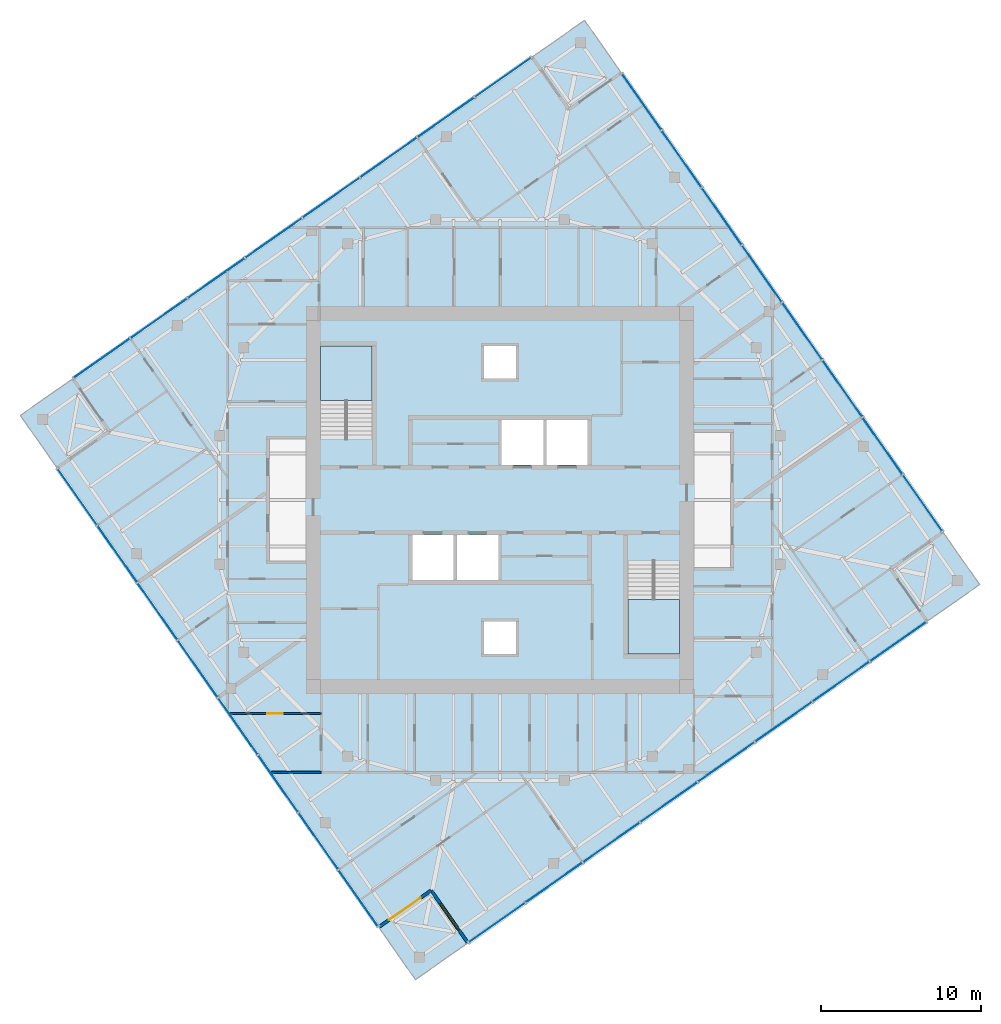
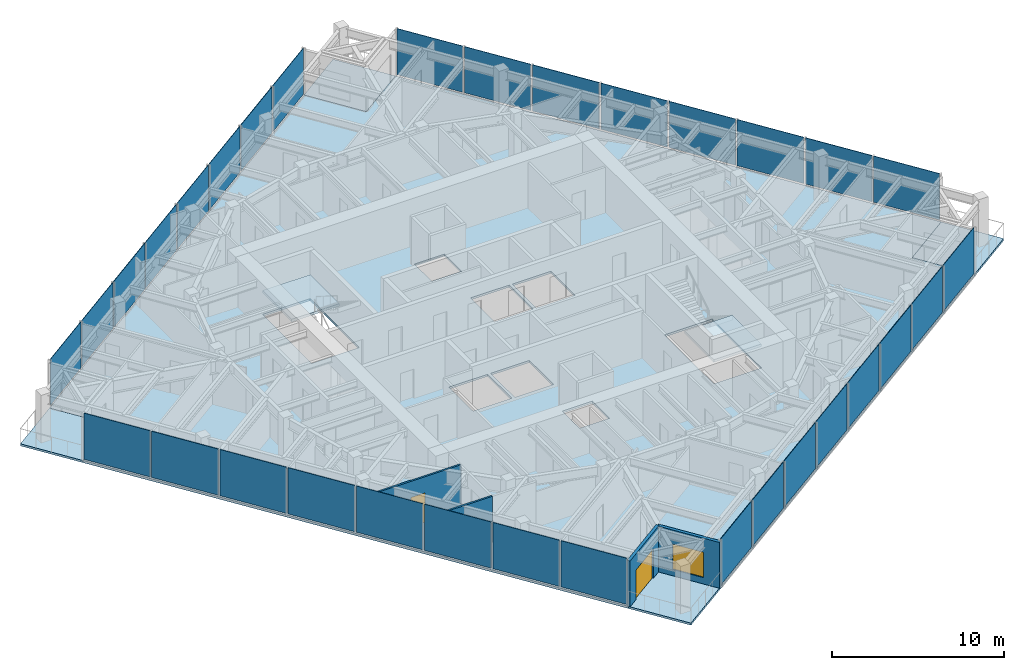
# One storey, part 6 of 12: 32 plates, 7 slabs, 4 walls, 2 doors, 1 window, 3 openings, 6 elements without a shape of their own.
"""IFC4 building model written with IfcOpenShell, lengths in metres."""

from ifc_helpers import new_model, si_unit, direction, frame, frame_2d, origin, origin_2d, place, context, subcontext, project, spatial, polyline, rectangle, outline, extrude, material, layer, layer_set, type_object, element, fill, aggregate, save


model = new_model("IFC4")

# Units and contexts
model_context = context("Model", 3, precision=1e-05, world=origin(), true_north=direction((0.0, 1.0)))
body_context = subcontext(model_context, "Body", "Model", "MODEL_VIEW")
ifc_project = project(units=[si_unit("LENGTHUNIT", "METRE"), si_unit("AREAUNIT", "SQUARE_METRE"), si_unit("VOLUMEUNIT", "CUBIC_METRE"), si_unit("PLANEANGLEUNIT", "RADIAN"), si_unit("MASSUNIT", "GRAM", prefix="KILO")], contexts=[model_context])

# Site, building, storey
site_placement = place(None, origin())
site = spatial("IfcSite", under=ifc_project, at=site_placement, CompositionType="ELEMENT")
building_placement = place(site_placement, origin())
building = spatial("IfcBuilding", under=site, at=building_placement, Name="Torsade Residences", CompositionType="ELEMENT")
storey_placement = place(building_placement, frame((0.0, 0.0, 247.199951171875)))
storey = spatial("IfcBuildingStorey", under=building, at=storey_placement, Name="L68", CompositionType="ELEMENT", Elevation=247.199951171875)

# Slab
ifc_material_1 = material(Name="Concrete 40 MPa", Category="concrete")
ifc_layer_1 = layer(ifc_material_1, 0.14990234375)
ifc_layer_set_1 = layer_set([ifc_layer_1], Name="Concrete 40 MPa")
slab_type_1 = type_object("IfcSlabType", Name="COMPOSITE FLOOR SLAB 150", PredefinedType="FLOOR", material=ifc_layer_set_1)
slab_1_placement = place(storey_placement, frame((0.0, 0.0, -0.14990234375)))
element("IfcSlab", 1, at=slab_1_placement, inside=storey, type_object=slab_type_1, Name="Floor slab L68", PredefinedType="FLOOR", context=body_context, shape_type="SweptSolid", body=[
    extrude(outline(polyline([(37.996826171875, 2.3505859375), (66.6669921875, 22.42578125), (64.372802734375, 25.702392578125), (67.6494140625, 27.996826171875), (47.57421875, 56.6669921875), (44.297607421875, 54.372802734375), (42.003173828125, 57.6494140625), (13.3330078125, 37.57421875), (15.627197265625, 34.297607421875), (12.3505859375, 32.003173828125), (32.42578125, 3.3330078125), (35.702392578125, 5.627197265625), (37.996826171875, 2.3505859375)]), holes=[polyline([(51.199951171875, 26.1201171875), (48.0, 26.1201171875), (48.0, 20.39990234375), (51.199951171875, 20.39990234375), (51.199951171875, 26.1201171875)]), polyline([(45.5, 35.0), (42.89990234375, 35.0), (42.89990234375, 32.199951171875), (45.5, 32.199951171875), (45.5, 35.0)]), polyline([(42.699951171875, 35.0), (40.10009765625, 35.0), (40.10009765625, 32.199951171875), (42.699951171875, 32.199951171875), (42.699951171875, 35.0)]), polyline([(41.0, 22.39990234375), (39.0, 22.39990234375), (39.0, 20.39990234375), (41.0, 20.39990234375), (41.0, 22.39990234375)]), polyline([(41.0, 39.60009765625), (39.0, 39.60009765625), (39.0, 37.60009765625), (41.0, 37.60009765625), (41.0, 39.60009765625)]), polyline([(39.89990234375, 27.800048828125), (37.300048828125, 27.800048828125), (37.300048828125, 25.0), (39.89990234375, 25.0), (39.89990234375, 27.800048828125)]), polyline([(37.10009765625, 27.800048828125), (34.5, 27.800048828125), (34.5, 25.0), (37.10009765625, 25.0), (37.10009765625, 27.800048828125)]), polyline([(32.0, 39.60009765625), (28.800048828125, 39.60009765625), (28.800048828125, 33.8798828125), (32.0, 33.8798828125), (32.0, 39.60009765625)])]), origin(), (0.0, 0.0, 1.0), 0.14990234375),
])

# Curtain wall, plates
ifc_material_2 = material(Name="Aluminium and glass", Category="aluminium")
curtain_wall_type = type_object("IfcCurtainWallType", Name="FRITTED GLASS CURTAIN WALL HIGH ZONE", PredefinedType="NOTDEFINED", material=ifc_material_2)
curtain_wall_1_placement = place(storey_placement, origin())
curtain_wall_1 = element("IfcCurtainWall", 2, at=curtain_wall_1_placement, inside=storey, type_object=curtain_wall_type, Name="Curtain wall L68 face 1", PredefinedType="NOTDEFINED")
ifc_material_3 = material(Name="Laminated glass", Category="glass")
ifc_layer_2 = layer(ifc_material_3, 0.031982421875)
ifc_layer_set_2 = layer_set([ifc_layer_2], Name="Laminated glass")
plate_type_1 = type_object("IfcPlateType", Name="FRITTED GLASS PANEL", PredefinedType="CURTAIN_PANEL", material=ifc_layer_set_2)
plate_1_placement = place(storey_placement, frame((39.80908203125, 3.61962890625, 0.1201171875), z_axis=(0.0, 0.0, 1.0), x_axis=(0.819152029353, 0.573576457682, 0.0)))
plate_1 = element("IfcPlate", 3, at=plate_1_placement, type_object=plate_type_1, Name="Panel 1", PredefinedType="CURTAIN_PANEL", context=body_context, shape_type="SweptSolid", body=[
    extrude(rectangle(XDim=4.22509765625, YDim=0.031982421875, at=origin_2d()), origin(), (0.0, 0.0, 1.0), 3.280029296875),
])
plate_2_placement = place(storey_placement, frame((46.956298828125, 8.6240234375, 0.1201171875), z_axis=(0.0, 0.0, 1.0), x_axis=(0.819152029353, 0.573576457682, 0.0)))
plate_2 = element("IfcPlate", 4, at=plate_2_placement, type_object=plate_type_1, Name="Panel 3", PredefinedType="CURTAIN_PANEL", context=body_context, shape_type="SweptSolid", body=[
    extrude(rectangle(XDim=4.27490234375, YDim=0.031982421875, at=origin_2d()), origin(), (0.0, 0.0, 1.0), 3.280029296875),
])
plate_3_placement = place(storey_placement, frame((50.5400390625, 11.133544921875, 0.1201171875), z_axis=(0.0, 0.0, 1.0), x_axis=(0.819152029353, 0.573576457682, 0.0)))
plate_3 = element("IfcPlate", 5, at=plate_3_placement, type_object=plate_type_1, Name="Panel 4", PredefinedType="CURTAIN_PANEL", context=body_context, shape_type="SweptSolid", body=[
    extrude(rectangle(XDim=4.27490234375, YDim=0.031982421875, at=origin_2d()), origin(), (0.0, 0.0, 1.0), 3.280029296875),
])
plate_4_placement = place(storey_placement, frame((54.123779296875, 13.642822265625, 0.1201171875), z_axis=(0.0, 0.0, 1.0), x_axis=(0.819152029353, 0.573576457682, 0.0)))
plate_4 = element("IfcPlate", 6, at=plate_4_placement, type_object=plate_type_1, Name="Panel 5", PredefinedType="CURTAIN_PANEL", context=body_context, shape_type="SweptSolid", body=[
    extrude(rectangle(XDim=4.27490234375, YDim=0.031982421875, at=origin_2d()), origin(), (0.0, 0.0, 1.0), 3.280029296875),
])
plate_5_placement = place(storey_placement, frame((61.291259765625, 18.66162109375, 0.1201171875), z_axis=(0.0, 0.0, 1.0), x_axis=(0.819152029353, 0.573576457682, 0.0)))
plate_5 = element("IfcPlate", 7, at=plate_5_placement, type_object=plate_type_1, Name="Panel 7", PredefinedType="CURTAIN_PANEL", context=body_context, shape_type="SweptSolid", body=[
    extrude(rectangle(XDim=4.27490234375, YDim=0.031982421875, at=origin_2d()), origin(), (0.0, 0.0, 1.0), 3.280029296875),
])
plate_6_placement = place(storey_placement, frame((64.854736328125, 21.15673828125, 0.1201171875), z_axis=(0.0, 0.0, 1.0), x_axis=(0.819152029353, 0.573576457682, 0.0)))
plate_6 = element("IfcPlate", 8, at=plate_6_placement, type_object=plate_type_1, Name="Panel 8", PredefinedType="CURTAIN_PANEL", context=body_context, shape_type="SweptSolid", body=[
    extrude(rectangle(XDim=4.22509765625, YDim=0.031982421875, at=origin_2d()), origin(), (0.0, 0.0, 1.0), 3.280029296875),
])

curtain_wall_2_placement = place(storey_placement, origin())
curtain_wall_2 = element("IfcCurtainWall", 9, at=curtain_wall_2_placement, inside=storey, type_object=curtain_wall_type, Name="Curtain wall L68 face 4", PredefinedType="NOTDEFINED")
plate_7_placement = place(storey_placement, frame((66.38037109375, 29.80908203125, 0.1201171875), z_axis=(0.0, 0.0, 1.0), x_axis=(-0.573576457682, 0.819152029353, 0.0)))
plate_7 = element("IfcPlate", 10, at=plate_7_placement, type_object=plate_type_1, Name="Panel 1", PredefinedType="CURTAIN_PANEL", context=body_context, shape_type="SweptSolid", body=[
    extrude(rectangle(XDim=4.22509765625, YDim=0.031982421875, at=origin_2d()), origin(), (0.0, 0.0, 1.0), 3.280029296875),
])
plate_8_placement = place(storey_placement, frame((61.3759765625, 36.956298828125, 0.1201171875), z_axis=(0.0, 0.0, 1.0), x_axis=(-0.573576457682, 0.819152029353, 0.0)))
plate_8 = element("IfcPlate", 11, at=plate_8_placement, type_object=plate_type_1, Name="Panel 3", PredefinedType="CURTAIN_PANEL", context=body_context, shape_type="SweptSolid", body=[
    extrude(rectangle(XDim=4.27490234375, YDim=0.031982421875, at=origin_2d()), origin(), (0.0, 0.0, 1.0), 3.280029296875),
])
plate_9_placement = place(storey_placement, frame((58.866455078125, 40.5400390625, 0.1201171875), z_axis=(0.0, 0.0, 1.0), x_axis=(-0.573576457682, 0.819152029353, 0.0)))
plate_9 = element("IfcPlate", 12, at=plate_9_placement, type_object=plate_type_1, Name="Panel 4", PredefinedType="CURTAIN_PANEL", context=body_context, shape_type="SweptSolid", body=[
    extrude(rectangle(XDim=4.27490234375, YDim=0.031982421875, at=origin_2d()), origin(), (0.0, 0.0, 1.0), 3.280029296875),
])
plate_10_placement = place(storey_placement, frame((56.357177734375, 44.123779296875, 0.1201171875), z_axis=(0.0, 0.0, 1.0), x_axis=(-0.573576457682, 0.819152029353, 0.0)))
plate_10 = element("IfcPlate", 13, at=plate_10_placement, type_object=plate_type_1, Name="Panel 5", PredefinedType="CURTAIN_PANEL", context=body_context, shape_type="SweptSolid", body=[
    extrude(rectangle(XDim=4.27490234375, YDim=0.031982421875, at=origin_2d()), origin(), (0.0, 0.0, 1.0), 3.280029296875),
])
plate_11_placement = place(storey_placement, frame((51.33837890625, 51.291259765625, 0.1201171875), z_axis=(0.0, 0.0, 1.0), x_axis=(-0.573576457682, 0.819152029353, 0.0)))
plate_11 = element("IfcPlate", 14, at=plate_11_placement, type_object=plate_type_1, Name="Panel 7", PredefinedType="CURTAIN_PANEL", context=body_context, shape_type="SweptSolid", body=[
    extrude(rectangle(XDim=4.27490234375, YDim=0.031982421875, at=origin_2d()), origin(), (0.0, 0.0, 1.0), 3.280029296875),
])
plate_12_placement = place(storey_placement, frame((48.84326171875, 54.854736328125, 0.1201171875), z_axis=(0.0, 0.0, 1.0), x_axis=(-0.573576457682, 0.819152029353, 0.0)))
plate_12 = element("IfcPlate", 15, at=plate_12_placement, type_object=plate_type_1, Name="Panel 8", PredefinedType="CURTAIN_PANEL", context=body_context, shape_type="SweptSolid", body=[
    extrude(rectangle(XDim=4.22509765625, YDim=0.031982421875, at=origin_2d()), origin(), (0.0, 0.0, 1.0), 3.280029296875),
])

curtain_wall_3_placement = place(storey_placement, origin())
curtain_wall_3 = element("IfcCurtainWall", 16, at=curtain_wall_3_placement, inside=storey, type_object=curtain_wall_type, Name="Curtain wall L68 face 7", PredefinedType="NOTDEFINED")
plate_13_placement = place(storey_placement, frame((40.19091796875, 56.38037109375, 0.1201171875), z_axis=(0.0, 0.0, 1.0), x_axis=(-0.819152029353, -0.573576457682, 0.0)))
plate_13 = element("IfcPlate", 17, at=plate_13_placement, type_object=plate_type_1, Name="Panel 1", PredefinedType="CURTAIN_PANEL", context=body_context, shape_type="SweptSolid", body=[
    extrude(rectangle(XDim=4.22509765625, YDim=0.031982421875, at=origin_2d()), origin(), (0.0, 0.0, 1.0), 3.280029296875),
])
plate_14_placement = place(storey_placement, frame((33.043701171875, 51.3759765625, 0.1201171875), z_axis=(0.0, 0.0, 1.0), x_axis=(-0.819152029353, -0.573576457682, 0.0)))
plate_14 = element("IfcPlate", 18, at=plate_14_placement, type_object=plate_type_1, Name="Panel 3", PredefinedType="CURTAIN_PANEL", context=body_context, shape_type="SweptSolid", body=[
    extrude(rectangle(XDim=4.27490234375, YDim=0.031982421875, at=origin_2d()), origin(), (0.0, 0.0, 1.0), 3.280029296875),
])
plate_15_placement = place(storey_placement, frame((29.4599609375, 48.866455078125, 0.1201171875), z_axis=(0.0, 0.0, 1.0), x_axis=(-0.819152029353, -0.573576457682, 0.0)))
plate_15 = element("IfcPlate", 19, at=plate_15_placement, type_object=plate_type_1, Name="Panel 4", PredefinedType="CURTAIN_PANEL", context=body_context, shape_type="SweptSolid", body=[
    extrude(rectangle(XDim=4.27490234375, YDim=0.031982421875, at=origin_2d()), origin(), (0.0, 0.0, 1.0), 3.280029296875),
])
plate_16_placement = place(storey_placement, frame((25.876220703125, 46.357177734375, 0.1201171875), z_axis=(0.0, 0.0, 1.0), x_axis=(-0.819152029353, -0.573576457682, 0.0)))
plate_16 = element("IfcPlate", 20, at=plate_16_placement, type_object=plate_type_1, Name="Panel 5", PredefinedType="CURTAIN_PANEL", context=body_context, shape_type="SweptSolid", body=[
    extrude(rectangle(XDim=4.27490234375, YDim=0.031982421875, at=origin_2d()), origin(), (0.0, 0.0, 1.0), 3.280029296875),
])
plate_17_placement = place(storey_placement, frame((18.708740234375, 41.33837890625, 0.1201171875), z_axis=(0.0, 0.0, 1.0), x_axis=(-0.819152029353, -0.573576457682, 0.0)))
plate_17 = element("IfcPlate", 21, at=plate_17_placement, type_object=plate_type_1, Name="Panel 7", PredefinedType="CURTAIN_PANEL", context=body_context, shape_type="SweptSolid", body=[
    extrude(rectangle(XDim=4.27490234375, YDim=0.031982421875, at=origin_2d()), origin(), (0.0, 0.0, 1.0), 3.280029296875),
])
plate_18_placement = place(storey_placement, frame((15.145263671875, 38.84326171875, 0.1201171875), z_axis=(0.0, 0.0, 1.0), x_axis=(-0.819152029353, -0.573576457682, 0.0)))
plate_18 = element("IfcPlate", 22, at=plate_18_placement, type_object=plate_type_1, Name="Panel 8", PredefinedType="CURTAIN_PANEL", context=body_context, shape_type="SweptSolid", body=[
    extrude(rectangle(XDim=4.22509765625, YDim=0.031982421875, at=origin_2d()), origin(), (0.0, 0.0, 1.0), 3.280029296875),
])

curtain_wall_4_placement = place(storey_placement, origin())
curtain_wall_4 = element("IfcCurtainWall", 23, at=curtain_wall_4_placement, inside=storey, type_object=curtain_wall_type, Name="Curtain wall L68 face 10", PredefinedType="NOTDEFINED")
plate_19_placement = place(storey_placement, frame((13.61962890625, 30.19091796875, 0.1201171875), z_axis=(0.0, 0.0, 1.0), x_axis=(0.573576457682, -0.819152029353, 0.0)))
plate_19 = element("IfcPlate", 24, at=plate_19_placement, type_object=plate_type_1, Name="Panel 1", PredefinedType="CURTAIN_PANEL", context=body_context, shape_type="SweptSolid", body=[
    extrude(rectangle(XDim=4.22509765625, YDim=0.031982421875, at=origin_2d()), origin(), (0.0, 0.0, 1.0), 3.280029296875),
])
plate_20_placement = place(storey_placement, frame((18.6240234375, 23.043701171875, 0.1201171875), z_axis=(0.0, 0.0, 1.0), x_axis=(0.573576457682, -0.819152029353, 0.0)))
plate_20 = element("IfcPlate", 25, at=plate_20_placement, type_object=plate_type_1, Name="Panel 3", PredefinedType="CURTAIN_PANEL", context=body_context, shape_type="SweptSolid", body=[
    extrude(rectangle(XDim=4.27490234375, YDim=0.031982421875, at=origin_2d()), origin(), (0.0, 0.0, 1.0), 3.280029296875),
])
plate_21_placement = place(storey_placement, frame((21.133544921875, 19.4599609375, 0.1201171875), z_axis=(0.0, 0.0, 1.0), x_axis=(0.573576457682, -0.819152029353, 0.0)))
plate_21 = element("IfcPlate", 26, at=plate_21_placement, type_object=plate_type_1, Name="Panel 4", PredefinedType="CURTAIN_PANEL", context=body_context, shape_type="SweptSolid", body=[
    extrude(rectangle(XDim=4.27490234375, YDim=0.031982421875, at=origin_2d()), origin(), (0.0, 0.0, 1.0), 3.280029296875),
])
plate_22_placement = place(storey_placement, frame((23.642822265625, 15.876220703125, 0.1201171875), z_axis=(0.0, 0.0, 1.0), x_axis=(0.573576457682, -0.819152029353, 0.0)))
plate_22 = element("IfcPlate", 27, at=plate_22_placement, type_object=plate_type_1, Name="Panel 5", PredefinedType="CURTAIN_PANEL", context=body_context, shape_type="SweptSolid", body=[
    extrude(rectangle(XDim=4.27490234375, YDim=0.031982421875, at=origin_2d()), origin(), (0.0, 0.0, 1.0), 3.280029296875),
])
plate_23_placement = place(storey_placement, frame((28.66162109375, 8.708740234375, 0.1201171875), z_axis=(0.0, 0.0, 1.0), x_axis=(0.573576457682, -0.819152029353, 0.0)))
plate_23 = element("IfcPlate", 28, at=plate_23_placement, type_object=plate_type_1, Name="Panel 7", PredefinedType="CURTAIN_PANEL", context=body_context, shape_type="SweptSolid", body=[
    extrude(rectangle(XDim=4.27490234375, YDim=0.031982421875, at=origin_2d()), origin(), (0.0, 0.0, 1.0), 3.280029296875),
])
plate_24_placement = place(storey_placement, frame((31.15673828125, 5.145263671875, 0.1201171875), z_axis=(0.0, 0.0, 1.0), x_axis=(0.573576457682, -0.819152029353, 0.0)))
plate_24 = element("IfcPlate", 29, at=plate_24_placement, type_object=plate_type_1, Name="Panel 8", PredefinedType="CURTAIN_PANEL", context=body_context, shape_type="SweptSolid", body=[
    extrude(rectangle(XDim=4.22509765625, YDim=0.031982421875, at=origin_2d()), origin(), (0.0, 0.0, 1.0), 3.280029296875),
])

# Plate
ifc_material_4 = material(Name="Laminated glass", Category="glass")
ifc_layer_3 = layer(ifc_material_4, 0.0400390625)
ifc_layer_set_3 = layer_set([ifc_layer_3], Name="Laminated glass")
plate_type_2 = type_object("IfcPlateType", Name="OPERABLE VENT PANEL", PredefinedType="CURTAIN_PANEL", material=ifc_layer_set_3)
plate_25_placement = place(storey_placement, frame((43.372314453125, 6.11474609375, 0.1201171875), z_axis=(0.0, 0.0, 1.0), x_axis=(0.819152029353, 0.573576457682, 0.0)))
plate_25 = element("IfcPlate", 30, at=plate_25_placement, type_object=plate_type_2, Name="Panel 2", PredefinedType="CURTAIN_PANEL", context=body_context, shape_type="SweptSolid", body=[
    extrude(rectangle(XDim=4.27490234375, YDim=0.0400390625, at=origin_2d()), origin(), (0.0, 0.0, 1.0), 3.280029296875),
])

plate_26_placement = place(storey_placement, frame((57.70751953125, 16.15234375, 0.1201171875), z_axis=(0.0, 0.0, 1.0), x_axis=(0.819152029353, 0.573576457682, 0.0)))
plate_26 = element("IfcPlate", 31, at=plate_26_placement, type_object=plate_type_2, Name="Panel 6", PredefinedType="CURTAIN_PANEL", context=body_context, shape_type="SweptSolid", body=[
    extrude(rectangle(XDim=4.27490234375, YDim=0.0400390625, at=origin_2d()), origin(), (0.0, 0.0, 1.0), 3.280029296875),
])

aggregate(curtain_wall_1, [plate_1, plate_25, plate_2, plate_3, plate_4, plate_26, plate_5, plate_6])

plate_27_placement = place(storey_placement, frame((63.88525390625, 33.372314453125, 0.1201171875), z_axis=(0.0, 0.0, 1.0), x_axis=(-0.573576457682, 0.819152029353, 0.0)))
plate_27 = element("IfcPlate", 32, at=plate_27_placement, type_object=plate_type_2, Name="Panel 2", PredefinedType="CURTAIN_PANEL", context=body_context, shape_type="SweptSolid", body=[
    extrude(rectangle(XDim=4.27490234375, YDim=0.0400390625, at=origin_2d()), origin(), (0.0, 0.0, 1.0), 3.280029296875),
])

plate_28_placement = place(storey_placement, frame((53.84765625, 47.70751953125, 0.1201171875), z_axis=(0.0, 0.0, 1.0), x_axis=(-0.573576457682, 0.819152029353, 0.0)))
plate_28 = element("IfcPlate", 33, at=plate_28_placement, type_object=plate_type_2, Name="Panel 6", PredefinedType="CURTAIN_PANEL", context=body_context, shape_type="SweptSolid", body=[
    extrude(rectangle(XDim=4.27490234375, YDim=0.0400390625, at=origin_2d()), origin(), (0.0, 0.0, 1.0), 3.280029296875),
])

aggregate(curtain_wall_2, [plate_7, plate_27, plate_8, plate_9, plate_10, plate_28, plate_11, plate_12])

plate_29_placement = place(storey_placement, frame((36.627685546875, 53.88525390625, 0.1201171875), z_axis=(0.0, 0.0, 1.0), x_axis=(-0.819152029353, -0.573576457682, 0.0)))
plate_29 = element("IfcPlate", 34, at=plate_29_placement, type_object=plate_type_2, Name="Panel 2", PredefinedType="CURTAIN_PANEL", context=body_context, shape_type="SweptSolid", body=[
    extrude(rectangle(XDim=4.27490234375, YDim=0.0400390625, at=origin_2d()), origin(), (0.0, 0.0, 1.0), 3.280029296875),
])

plate_30_placement = place(storey_placement, frame((22.29248046875, 43.84765625, 0.1201171875), z_axis=(0.0, 0.0, 1.0), x_axis=(-0.819152029353, -0.573576457682, 0.0)))
plate_30 = element("IfcPlate", 35, at=plate_30_placement, type_object=plate_type_2, Name="Panel 6", PredefinedType="CURTAIN_PANEL", context=body_context, shape_type="SweptSolid", body=[
    extrude(rectangle(XDim=4.27490234375, YDim=0.0400390625, at=origin_2d()), origin(), (0.0, 0.0, 1.0), 3.280029296875),
])

aggregate(curtain_wall_3, [plate_13, plate_29, plate_14, plate_15, plate_16, plate_30, plate_17, plate_18])

plate_31_placement = place(storey_placement, frame((16.11474609375, 26.627685546875, 0.1201171875), z_axis=(0.0, 0.0, 1.0), x_axis=(0.573576457682, -0.819152029353, 0.0)))
plate_31 = element("IfcPlate", 36, at=plate_31_placement, type_object=plate_type_2, Name="Panel 2", PredefinedType="CURTAIN_PANEL", context=body_context, shape_type="SweptSolid", body=[
    extrude(rectangle(XDim=4.27490234375, YDim=0.0400390625, at=origin_2d()), origin(), (0.0, 0.0, 1.0), 3.280029296875),
])

plate_32_placement = place(storey_placement, frame((26.15234375, 12.29248046875, 0.1201171875), z_axis=(0.0, 0.0, 1.0), x_axis=(0.573576457682, -0.819152029353, 0.0)))
plate_32 = element("IfcPlate", 37, at=plate_32_placement, type_object=plate_type_2, Name="Panel 6", PredefinedType="CURTAIN_PANEL", context=body_context, shape_type="SweptSolid", body=[
    extrude(rectangle(XDim=4.27490234375, YDim=0.0400390625, at=origin_2d()), origin(), (0.0, 0.0, 1.0), 3.280029296875),
])

aggregate(curtain_wall_4, [plate_19, plate_31, plate_20, plate_21, plate_22, plate_32, plate_23, plate_24])

# Stair, slab
ifc_material_5 = material(Name="Precast concrete 40 MPa", Category="concrete")
stair_type = type_object("IfcStairType", Name="HALF-TURN FIRE STAIR 1500x3400", PredefinedType="HALF_TURN_STAIR", material=ifc_material_5)
stair_1_placement = place(storey_placement, origin())
stair_1 = element("IfcStair", 38, at=stair_1_placement, inside=storey, type_object=stair_type, Name="Stair ST1 L68", PredefinedType="HALF_TURN_STAIR")
ifc_material_6 = material(Name="Precast concrete 40 MPa", Category="concrete")
ifc_layer_4 = layer(ifc_material_6, 0.179931640625)
ifc_layer_set_4 = layer_set([ifc_layer_4], Name="Precast concrete 40 MPa")
slab_type_2 = type_object("IfcSlabType", Name="PRECAST STAIR LANDING 180", PredefinedType="LANDING", material=ifc_layer_set_4)
slab_2_placement = place(storey_placement, frame((0.0, 0.0, 1.52001953125)))
slab_2 = element("IfcSlab", 39, at=slab_2_placement, type_object=slab_type_2, Name="ST1 landing 1", PredefinedType="LANDING", context=body_context, shape_type="SweptSolid", body=[
    extrude(outline(polyline([(28.800048828125, 36.2099609375), (32.0, 36.2099609375), (32.0, 39.60009765625), (28.800048828125, 39.60009765625), (28.800048828125, 36.2099609375)])), origin(), (0.0, 0.0, 1.0), 0.179931640625),
])
aggregate(stair_1, [slab_2])

stair_2_placement = place(storey_placement, origin())
stair_2 = element("IfcStair", 40, at=stair_2_placement, inside=storey, type_object=stair_type, Name="Stair ST2 L68", PredefinedType="HALF_TURN_STAIR")
slab_3_placement = place(storey_placement, frame((0.0, 0.0, 1.52001953125)))
slab_3 = element("IfcSlab", 41, at=slab_3_placement, type_object=slab_type_2, Name="ST2 landing 1", PredefinedType="LANDING", context=body_context, shape_type="SweptSolid", body=[
    extrude(outline(polyline([(48.0, 20.39990234375), (51.199951171875, 20.39990234375), (51.199951171875, 23.7900390625), (48.0, 23.7900390625), (48.0, 20.39990234375)])), origin(), (0.0, 0.0, 1.0), 0.179931640625),
])
aggregate(stair_2, [slab_3])

# Slabs
ifc_material_7 = material(Name="Concrete 40 MPa", Category="concrete")
ifc_layer_5 = layer(ifc_material_7, 0.14990234375)
ifc_layer_set_5 = layer_set([ifc_layer_5], Name="Concrete 40 MPa")
slab_type_3 = type_object("IfcSlabType", Name="TERRACE SLAB 150", PredefinedType="FLOOR", material=ifc_layer_set_5)
slab_4_placement = place(storey_placement, frame((0.0, 0.0, -0.14990234375)))
element("IfcSlab", 42, at=slab_4_placement, inside=storey, type_object=slab_type_3, Name="Corner terrace slab SE L68", PredefinedType="FLOOR", context=body_context, shape_type="SweptSolid", body=[
    extrude(outline(polyline([(66.6669921875, 22.42578125), (69.943603515625, 24.72021484375), (67.6494140625, 27.996826171875), (64.372802734375, 25.702392578125), (66.6669921875, 22.42578125)])), origin(), (0.0, 0.0, 1.0), 0.14990234375),
])
slab_5_placement = place(storey_placement, frame((0.0, 0.0, -0.14990234375)))
element("IfcSlab", 43, at=slab_5_placement, inside=storey, type_object=slab_type_3, Name="Corner terrace slab NE L68", PredefinedType="FLOOR", context=body_context, shape_type="SweptSolid", body=[
    extrude(outline(polyline([(44.297607421875, 54.372802734375), (47.57421875, 56.6669921875), (45.27978515625, 59.943603515625), (42.003173828125, 57.6494140625), (44.297607421875, 54.372802734375)])), origin(), (0.0, 0.0, 1.0), 0.14990234375),
])
slab_6_placement = place(storey_placement, frame((0.0, 0.0, -0.14990234375)))
element("IfcSlab", 44, at=slab_6_placement, inside=storey, type_object=slab_type_3, Name="Corner terrace slab NW L68", PredefinedType="FLOOR", context=body_context, shape_type="SweptSolid", body=[
    extrude(outline(polyline([(12.3505859375, 32.003173828125), (15.627197265625, 34.297607421875), (13.3330078125, 37.57421875), (10.056396484375, 35.27978515625), (12.3505859375, 32.003173828125)])), origin(), (0.0, 0.0, 1.0), 0.14990234375),
])
slab_7_placement = place(storey_placement, frame((0.0, 0.0, -0.14990234375)))
element("IfcSlab", 45, at=slab_7_placement, inside=storey, type_object=slab_type_3, Name="Corner terrace slab SW L68", PredefinedType="FLOOR", context=body_context, shape_type="SweptSolid", body=[
    extrude(outline(polyline([(34.72021484375, 0.056396484375), (37.996826171875, 2.3505859375), (35.702392578125, 5.627197265625), (32.42578125, 3.3330078125), (34.72021484375, 0.056396484375)])), origin(), (0.0, 0.0, 1.0), 0.14990234375),
])

# Wall, opening, door
ifc_material_8 = material(Name="Plasterboard on steel stud", Category="steel")
ifc_layer_6 = layer(ifc_material_8, 0.1201171875)
ifc_layer_set_6 = layer_set([ifc_layer_6], Name="Plasterboard on steel stud")
wall_type_1 = type_object("IfcWallType", Name="PARTITION 120", PredefinedType="PARTITIONING", material=ifc_layer_set_6)
wall_1_placement = place(storey_placement, frame((28.83740234375, 16.67333984375, 0.0), z_axis=(0.0, 0.0, 1.0), x_axis=(-1.0, 0.0, 0.0)))
wall_1 = element("IfcWall", 46, at=wall_1_placement, inside=storey, type_object=wall_type_1, Name="Partition L68", PredefinedType="PARTITIONING", context=body_context, shape_type="SweptSolid", body=[
    extrude(rectangle(XDim=5.703857421875, YDim=0.1201171875, at=frame_2d((2.85205078125, 0.0))), origin(), (0.0, 0.0, 1.0), 3.25),
])
opening_1_placement = place(wall_1_placement, frame((2.396484375, 0.0, 0.0)))
opening_1 = element("IfcOpeningElement", 47, at=opening_1_placement, cuts=wall_1, Name="Opening D05", PredefinedType="OPENING", context=body_context, shape_type="SweptSolid", body=[
    extrude(rectangle(XDim=0.9599609375, YDim=2.10009765625, at=frame_2d((0.47998046875, 1.050048828125))), frame((0.0, 0.070068359375, 0.0), z_axis=(0.0, -1.0, 0.0), x_axis=(1.0, 0.0, 0.0)), (0.0, 0.0, 1.0), 0.14013671875),
])
ifc_material_9 = material(Name="Hollow-core timber door in a steel cavity frame", Category="steel")
door_type_1 = type_object("IfcDoorType", Name="BATHROOM CAVITY SLIDING DOOR 960", OperationType="SLIDING_TO_LEFT", PredefinedType="DOOR", material=ifc_material_9)
door_1_placement = place(opening_1_placement, origin())
door_1 = element("IfcDoor", 48, at=door_1_placement, inside=storey, type_object=door_type_1, Name="Door Dressing room to Bathroom", OperationType="SLIDING_TO_LEFT", OverallHeight=2.10009765625, OverallWidth=0.9599609375, PredefinedType="DOOR", context=body_context, shape_type="SweptSolid", body=[
    extrude(rectangle(XDim=0.9599609375, YDim=2.10009765625, at=frame_2d((0.47998046875, 1.050048828125))), frame((0.0, 0.02490234375, 0.0), z_axis=(0.0, -1.0, 0.0), x_axis=(1.0, 0.0, 0.0)), (0.0, 0.0, 1.0), 0.050048828125),
])
fill(opening_1, door_1)

# Wall
wall_2_placement = place(storey_placement, frame((28.83740234375, 13.0, 0.0), z_axis=(0.0, 0.0, 1.0), x_axis=(-1.0, 0.0, 0.0)))
element("IfcWall", 49, at=wall_2_placement, inside=storey, type_object=wall_type_1, Name="Partition L68", PredefinedType="PARTITIONING", context=body_context, shape_type="SweptSolid", body=[
    extrude(rectangle(XDim=3.131591796875, YDim=0.1201171875, at=frame_2d((1.56591796875, 0.0))), origin(), (0.0, 0.0, 1.0), 3.25),
])

# Wall, opening, door
ifc_material_10 = material(Name="Stone-faced precast concrete 40 MPa panel", Category="masonry")
ifc_layer_7 = layer(ifc_material_10, 0.199951171875)
ifc_layer_set_7 = layer_set([ifc_layer_7], Name="Stone-faced precast concrete 40 MPa panel")
wall_type_2 = type_object("IfcWallType", Name="TERRACE WALL 200", PredefinedType="SOLIDWALL", material=ifc_layer_set_7)
wall_3_placement = place(storey_placement, frame((32.42578125, 3.3330078125, 0.0), z_axis=(0.0, 0.0, 1.0), x_axis=(0.819165963305, 0.573556557423, 0.0)))
wall_3 = element("IfcWall", 50, at=wall_3_placement, inside=storey, type_object=wall_type_2, Name="Terrace wall L68 11", PredefinedType="SOLIDWALL", context=body_context, shape_type="SweptSolid", body=[
    extrude(rectangle(XDim=4.0, YDim=0.199951171875, at=frame_2d((2.0, 0.0))), origin(), (0.0, 0.0, 1.0), 3.25),
])
opening_2_placement = place(wall_3_placement, frame((0.800048828125, 0.0, 0.0)))
opening_2 = element("IfcOpeningElement", 51, at=opening_2_placement, cuts=wall_3, Name="Opening D10A", PredefinedType="OPENING", context=body_context, shape_type="SweptSolid", body=[
    extrude(rectangle(XDim=2.39990234375, YDim=2.10009765625, at=frame_2d((1.199951171875, 1.050048828125))), frame((0.0, 0.10986328125, 0.0), z_axis=(0.0, -1.0, 0.0), x_axis=(1.0, 0.0, 0.0)), (0.0, 0.0, 1.0), 0.219970703125),
])
ifc_material_11 = material(Name="Aluminium-framed glass door", Category="aluminium")
door_type_2 = type_object("IfcDoorType", Name="TERRACE SLIDING DOOR 2400x2100", OperationType="SLIDING_TO_LEFT", PredefinedType="DOOR", material=ifc_material_11)
door_2_placement = place(opening_2_placement, origin())
door_2 = element("IfcDoor", 52, at=door_2_placement, inside=storey, type_object=door_type_2, Name="Terrace door L68 11", OperationType="SLIDING_TO_LEFT", OverallHeight=2.10009765625, OverallWidth=2.39990234375, PredefinedType="DOOR", context=body_context, shape_type="SweptSolid", body=[
    extrude(rectangle(XDim=2.39990234375, YDim=2.10009765625, at=frame_2d((1.199951171875, 1.050048828125))), frame((0.0, 0.02490234375, 0.0), z_axis=(0.0, -1.0, 0.0), x_axis=(1.0, 0.0, 0.0)), (0.0, 0.0, 1.0), 0.050048828125),
])
fill(opening_2, door_2)

# Wall, opening, window
wall_4_placement = place(storey_placement, frame((35.702392578125, 5.627197265625, 0.0), z_axis=(0.0, 0.0, 1.0), x_axis=(0.573597512525, -0.819137286189, 0.0)))
wall_4 = element("IfcWall", 53, at=wall_4_placement, inside=storey, type_object=wall_type_2, Name="Terrace wall L68 12", PredefinedType="SOLIDWALL", context=body_context, shape_type="SweptSolid", body=[
    extrude(rectangle(XDim=4.0, YDim=0.199951171875, at=frame_2d((2.0, 0.0))), origin(), (0.0, 0.0, 1.0), 3.25),
])
opening_3_placement = place(wall_4_placement, frame((1.0, 0.0, 0.449951171875)))
opening_3 = element("IfcOpeningElement", 54, at=opening_3_placement, cuts=wall_4, Name="Opening W1B", PredefinedType="OPENING", context=body_context, shape_type="SweptSolid", body=[
    extrude(rectangle(XDim=2.0, YDim=1.800048828125, at=frame_2d((1.0, 0.89990234375))), frame((0.0, 0.10986328125, 0.0), z_axis=(0.0, -1.0, 0.0), x_axis=(1.0, 0.0, 0.0)), (0.0, 0.0, 1.0), 0.219970703125),
])
ifc_material_12 = material(Name="Aluminium-framed glass window", Category="aluminium")
window_type = type_object("IfcWindowType", Name="TERRACE WINDOW 2000x1800", PartitioningType="SINGLE_PANEL", PredefinedType="WINDOW", material=ifc_material_12)
window_placement = place(opening_3_placement, origin())
window = element("IfcWindow", 55, at=window_placement, inside=storey, type_object=window_type, Name="Terrace window L68 12", OverallHeight=1.800048828125, OverallWidth=2.0, PartitioningType="SINGLE_PANEL", PredefinedType="WINDOW", context=body_context, shape_type="SweptSolid", body=[
    extrude(rectangle(XDim=2.0, YDim=1.800048828125, at=frame_2d((1.0, 0.89990234375))), frame((0.0, 0.030029296875, 0.0), z_axis=(0.0, -1.0, 0.0), x_axis=(1.0, 0.0, 0.0)), (0.0, 0.0, 1.0), 0.06005859375),
])
fill(opening_3, window)

save(model, "model.ifc")
